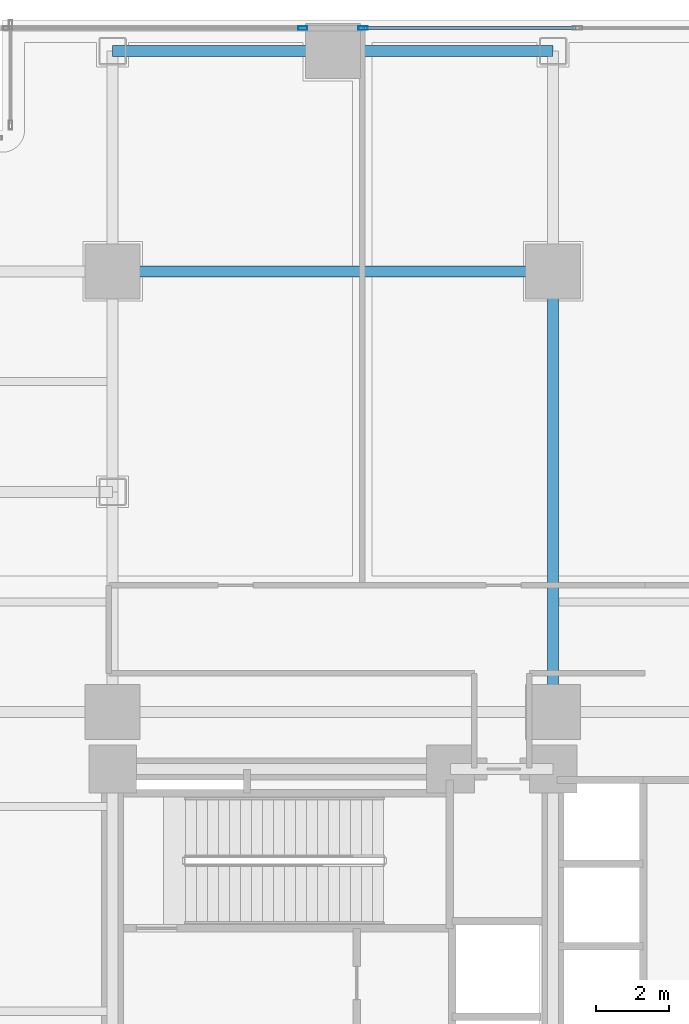
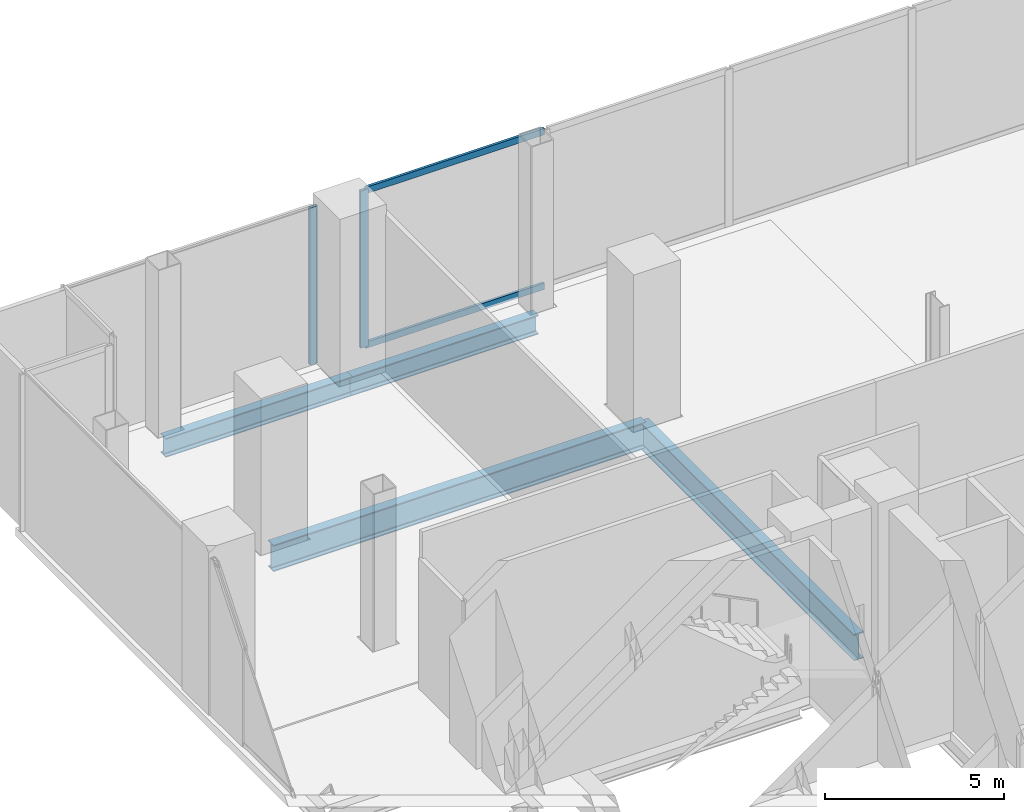
# One storey, part 14 of 27: 4 beams, 4 members, 2 elements without a shape of their own.
"""IFC4 building model written with IfcOpenShell, lengths in metres."""

import ifcopenshell
import ifcopenshell.guid

model = None  # the IFC model being written
_history = None  # IfcOwnerHistory: only IFC2X3 demands one
_inside = {}  # id of a spatial element -> (the spatial element, [elements in it])
_under = {}  # id of a project, library or spatial element -> (it, [spatial elements below it])
_declared = {}  # id of a project -> (the project, [libraries it declares])
_typed = {}  # id of a type object -> (the type object, [elements of that type])
_made_of = {}  # id of a material, layer set ... -> (it, [elements and type objects made of it])


def new_model(schema):
    """Start an empty IFC model of exactly this schema.

    Asked for "IFC4X3", IfcOpenShell would pick the latest addendum, in which some entities
    have other attributes; the version numbers below select the first issue.
    IFC2X3 requires an IfcOwnerHistory on every rooted entity: one is made here for all.
    """
    global model, _history
    if schema == "IFC4X3":
        model = ifcopenshell.file(schema_version=(4, 3, 0, 0))
    else:
        model = ifcopenshell.file(schema=schema)
    _inside.clear()
    _under.clear()
    _declared.clear()
    _typed.clear()
    _made_of.clear()
    _history = None
    if model.schema == "IFC2X3":
        org = make("IfcOrganization", Name="unknown")
        user = make(
            "IfcPersonAndOrganization",
            ThePerson=make("IfcPerson", FamilyName="unknown"),
            TheOrganization=org,
        )
        app = make(
            "IfcApplication",
            ApplicationDeveloper=org,
            Version="unknown",
            ApplicationFullName="unknown",
            ApplicationIdentifier="unknown",
        )
        _history = make(
            "IfcOwnerHistory",
            OwningUser=user,
            OwningApplication=app,
            ChangeAction="ADDED",
            CreationDate=0,
        )
    return model


def make(cls, **values):
    """One entity of the class cls with the attributes given. An attribute that is None is left unset."""
    return model.create_entity(
        cls, **{name: value for name, value in values.items() if value is not None}
    )


def rooted(cls, **values):
    """An entity with a GlobalId (a new one), such as an element, a storey or a relation."""
    return make(cls, GlobalId=ifcopenshell.guid.new(), OwnerHistory=_history, **values)


def si_unit(unit_type, name, prefix=None):
    """IfcSIUnit, for example si_unit("LENGTHUNIT", "METRE", prefix="MILLI")."""
    return make("IfcSIUnit", UnitType=unit_type, Prefix=prefix, Name=name)


def assignment(units):
    """IfcUnitAssignment: the units of a project."""
    return None if units is None else make("IfcUnitAssignment", Units=units)


def point(xyz):
    """IfcCartesianPoint."""
    return None if xyz is None else make("IfcCartesianPoint", Coordinates=xyz)


def direction(xyz):
    """IfcDirection."""
    return None if xyz is None else make("IfcDirection", DirectionRatios=xyz)


def frame(location, z_axis=None, x_axis=None):
    """IfcAxis2Placement3D, a coordinate frame: its origin and axes. An axis left out is left unset."""
    return make(
        "IfcAxis2Placement3D",
        Location=point(location),
        Axis=direction(z_axis),
        RefDirection=direction(x_axis),
    )


def frame_2d(location, x_axis=None):
    """IfcAxis2Placement2D, a coordinate frame in the plane: its origin and x axis."""
    return make(
        "IfcAxis2Placement2D", Location=point(location), RefDirection=direction(x_axis)
    )


def origin():
    """The frame at (0, 0, 0) with its axes left unset."""
    return frame((0.0, 0.0, 0.0))


def origin_2d():
    """The frame at (0, 0) in the plane with its x axis left unset."""
    return frame_2d((0.0, 0.0))


def place(relative_to, where):
    """IfcLocalPlacement: puts the frame where relative to a parent placement (None: the world)."""
    return make(
        "IfcLocalPlacement", PlacementRelTo=relative_to, RelativePlacement=where
    )


def context(
    kind, dimensions, precision=None, world=None, true_north=None, identifier=None
):
    """IfcGeometricRepresentationContext, for example the 3D "Model" context."""
    return make(
        "IfcGeometricRepresentationContext",
        ContextIdentifier=identifier,
        ContextType=kind,
        CoordinateSpaceDimension=dimensions,
        Precision=precision,
        WorldCoordinateSystem=world,
        TrueNorth=true_north,
    )


def subcontext(parent, identifier, kind, view, scale=None):
    """IfcGeometricRepresentationSubContext, for example "Body" below "Model"."""
    return make(
        "IfcGeometricRepresentationSubContext",
        ContextIdentifier=identifier,
        ContextType=kind,
        ParentContext=parent,
        TargetScale=scale,
        TargetView=view,
    )


def project(units=None, contexts=None):
    """IfcProject with its units and contexts."""
    return rooted(
        "IfcProject",
        Name="project",
        RepresentationContexts=contexts,
        UnitsInContext=assignment(units),
    )


def spatial(cls, under=None, at=None, **own):
    """A site, building, storey or space (cls), placed at a placement, below another one or the project."""
    s = rooted(cls, ObjectPlacement=at, **own)
    if under is not None:
        _under.setdefault(under.id(), (under, []))[1].append(s)
    return s


def profile(cls, at=None, kind="AREA", **sizes):
    """A parametric profile (cls). Its sizes go by their IFC names, for example OverallWidth=200.0."""
    return make(cls, ProfileType=kind, Position=at, **sizes)


def hollow_rectangle(**sizes):
    """IfcRectangleHollowProfileDef."""
    return profile("IfcRectangleHollowProfileDef", **sizes)


def i_section(**sizes):
    """IfcIShapeProfileDef."""
    return profile("IfcIShapeProfileDef", **sizes)


def extrude(swept, where, along, depth):
    """IfcExtrudedAreaSolid: the profile swept, set in the frame where, extruded along a direction by depth."""
    return make(
        "IfcExtrudedAreaSolid",
        SweptArea=swept,
        Position=where,
        ExtrudedDirection=direction(along),
        Depth=depth,
    )


def shape(context_of_items, identifier, shape_type, items):
    """IfcShapeRepresentation: the items that make up one representation, for example the "Body"."""
    return make(
        "IfcShapeRepresentation",
        ContextOfItems=context_of_items,
        RepresentationIdentifier=identifier,
        RepresentationType=shape_type,
        Items=items,
    )


def material(Name=None, Category=None):
    """IfcMaterial."""
    return make("IfcMaterial", Name=Name, Category=Category)


def layer(
    of_material, thickness, ventilated=None, Name=None, Category=None, Priority=None
):
    """IfcMaterialLayer: one layer of a wall or slab, of a material (None: an air gap)."""
    return make(
        "IfcMaterialLayer",
        Material=of_material,
        LayerThickness=thickness,
        IsVentilated=ventilated,
        Name=Name,
        Category=Category,
        Priority=Priority,
    )


def layer_set(layers, Name=None):
    """IfcMaterialLayerSet."""
    return make("IfcMaterialLayerSet", MaterialLayers=layers, LayerSetName=Name)


def material_profile(
    of_material, cross_section, Name=None, Category=None, Priority=None
):
    """IfcMaterialProfile: a cross section and its material."""
    return make(
        "IfcMaterialProfile",
        Name=Name,
        Material=of_material,
        Profile=cross_section,
        Priority=Priority,
        Category=Category,
    )


def profile_set(profiles, Name=None, composite=None):
    """IfcMaterialProfileSet."""
    return make(
        "IfcMaterialProfileSet",
        Name=Name,
        MaterialProfiles=profiles,
        CompositeProfile=composite,
    )


def made_of(thing, what):
    """Note that an element or type object is made of a material, layer set ...; save() writes the relation."""
    if what is not None:
        _made_of.setdefault(what.id(), (what, []))[1].append(thing)
    return thing


def type_object(cls, material=None, **own):
    """A type object (cls), such as IfcWallType, which elements share."""
    return made_of(rooted(cls, **own), material)


def element(
    cls,
    number,
    at=None,
    inside=None,
    cuts=None,
    type_object=None,
    material=None,
    context=None,
    identifier="Body",
    shape_type=None,
    held_by="IfcProductDefinitionShape",
    body=None,
    shapes=None,
    **own,
):
    """One element of the class cls, such as IfcWall. Its Tag is "e" and its number.

    at: its placement. inside: the storey or other place that contains it. cuts: it is an
    opening in that element (IfcRelVoidsElement). A single representation is given by context,
    identifier, shape_type and body (its items); several are given by shapes. held_by: the class
    of the entity that holds the representations. save() writes the other relations.
    """
    e = rooted(cls, Tag="e%d" % number, ObjectPlacement=at, **own)
    if body is not None:
        shapes = [shape(context, identifier, shape_type, body)]
    if shapes is not None:
        e.Representation = make(held_by, Representations=shapes)
    if inside is not None:
        _inside.setdefault(inside.id(), (inside, []))[1].append(e)
    if cuts is not None:
        rooted(
            "IfcRelVoidsElement", RelatingBuildingElement=cuts, RelatedOpeningElement=e
        )
    if type_object is not None:
        _typed.setdefault(type_object.id(), (type_object, []))[1].append(e)
    return made_of(e, material)


def aggregate(whole, parts):
    """IfcRelAggregates: a whole, such as a stair, and the parts it consists of."""
    return rooted("IfcRelAggregates", RelatingObject=whole, RelatedObjects=parts)


def save(model, path):
    """Write the relations noted so far, then the file.

    IfcRelAggregates (storeys below a building ...), IfcRelContainedInSpatialStructure (elements
    in a storey), IfcRelDefinesByType, IfcRelAssociatesMaterial and IfcRelDeclares: one each for
    every whole, place, type object, material and project.
    """
    for whole, parts in _under.values():
        aggregate(whole, parts)
    for where, things in _inside.values():
        rooted(
            "IfcRelContainedInSpatialStructure",
            RelatedElements=things,
            RelatingStructure=where,
        )
    for kind, things in _typed.values():
        rooted("IfcRelDefinesByType", RelatedObjects=things, RelatingType=kind)
    for what, things in _made_of.values():
        rooted("IfcRelAssociatesMaterial", RelatedObjects=things, RelatingMaterial=what)
    for by, libraries in _declared.values():
        rooted("IfcRelDeclares", RelatingContext=by, RelatedDefinitions=libraries)
    model.write(path)


model = new_model("IFC4")

# Units and contexts
model_context = context("Model", 3, precision=1e-05, world=origin(), true_north=direction((0.0, 1.0)))
body_context = subcontext(model_context, "Body", "Model", "MODEL_VIEW")
ifc_project = project(units=[si_unit("LENGTHUNIT", "METRE"), si_unit("AREAUNIT", "SQUARE_METRE"), si_unit("VOLUMEUNIT", "CUBIC_METRE"), si_unit("PLANEANGLEUNIT", "RADIAN"), si_unit("MASSUNIT", "GRAM", prefix="KILO"), si_unit("THERMODYNAMICTEMPERATUREUNIT", "KELVIN"), si_unit("POWERUNIT", "WATT")], contexts=[model_context])

# Site, building, storey
site_placement = place(None, origin())
site = spatial("IfcSite", under=ifc_project, at=site_placement, CompositionType="ELEMENT")
building_placement = place(site_placement, origin())
building = spatial("IfcBuilding", under=site, at=building_placement, Name="Svarakhadi Broadcast Tower", CompositionType="ELEMENT")
storey_placement = place(building_placement, frame((0.0, 0.0, 21.89990234375)))
storey = spatial("IfcBuildingStorey", under=building, at=storey_placement, Name="L04", CompositionType="ELEMENT", Elevation=21.89990234375)

# Curtain wall, member
ifc_material_1 = material(Name="Anodised Bronze Aluminium AA 6063-T6", Category="aluminium")
ifc_layer = layer(ifc_material_1, 0.25)
ifc_layer_set = layer_set([ifc_layer], Name="Anodised Bronze Aluminium AA 6063-T6")
curtain_wall_type = type_object("IfcCurtainWallType", Name="CW_Sys_01", PredefinedType="NOTDEFINED", material=ifc_layer_set)
curtain_wall_1_placement = place(storey_placement, origin())
curtain_wall_1 = element("IfcCurtainWall", 1, at=curtain_wall_1_placement, inside=storey, type_object=curtain_wall_type, Name="L04 Unitised Facade Curtain Wall 05 Bay 1", PredefinedType="NOTDEFINED")
ifc_material_profile_1 = material_profile(ifc_material_1, hollow_rectangle(XDim=0.094970703125, YDim=0.25, WallThickness=0.006103515625, at=origin_2d()), Name="ALU MULLION 250x95x6")
ifc_profile_set_1 = profile_set([ifc_material_profile_1], Name="Anodised Bronze Aluminium AA 6063-T6")
member_type_1 = type_object("IfcMemberType", Name="CW_Sys_01_Mul", PredefinedType="MULLION", material=ifc_profile_set_1)
member_1_placement = place(storey_placement, frame((11.1826171875, 47.780029296875, 0.0), z_axis=(0.0, 0.0, 1.0), x_axis=(0.0, 1.0, 0.0)))
member_1 = element("IfcMember", 2, at=member_1_placement, type_object=member_type_1, Name="CW-01 mullion 2", PredefinedType="MULLION", context=body_context, shape_type="SweptSolid", body=[
    extrude(hollow_rectangle(XDim=0.094970703125, YDim=0.25, WallThickness=0.006103515625, at=origin_2d()), origin(), (0.0, 0.0, 1.0), 5.35009765625),
])
aggregate(curtain_wall_1, [member_1])

# Curtain wall, members
curtain_wall_2_placement = place(storey_placement, origin())
curtain_wall_2 = element("IfcCurtainWall", 3, at=curtain_wall_2_placement, inside=storey, type_object=curtain_wall_type, Name="L04 Unitised Facade Curtain Wall 05 Bay 2", PredefinedType="NOTDEFINED")
member_2_placement = place(storey_placement, frame((12.8173828125, 47.780029296875, 0.0), z_axis=(0.0, 0.0, 1.0), x_axis=(0.0, 1.0, 0.0)))
member_2 = element("IfcMember", 4, at=member_2_placement, type_object=member_type_1, Name="CW-01 mullion 1", PredefinedType="MULLION", context=body_context, shape_type="SweptSolid", body=[
    extrude(hollow_rectangle(XDim=0.094970703125, YDim=0.25, WallThickness=0.006103515625, at=origin_2d()), origin(), (0.0, 0.0, 1.0), 5.35009765625),
])
ifc_material_profile_2 = material_profile(ifc_material_1, hollow_rectangle(XDim=0.0849609375, YDim=0.219970703125, WallThickness=0.0048828125, at=origin_2d()), Name="ALU TRANSOM 220x85x5")
ifc_profile_set_2 = profile_set([ifc_material_profile_2], Name="Anodised Bronze Aluminium AA 6063-T6")
member_type_2 = type_object("IfcMemberType", Name="CW_Sys_01_Trn", PredefinedType="USERDEFINED", material=ifc_profile_set_2)
member_3_placement = place(storey_placement, frame((12.864990234375, 47.780029296875, 0.04248046875), z_axis=(1.0, 0.0, 0.0), x_axis=(0.0, 1.0, 0.0)))
member_3 = element("IfcMember", 5, at=member_3_placement, type_object=member_type_2, Name="CW-01 transom 1.1", ObjectType="TRANSOM", PredefinedType="USERDEFINED", context=body_context, shape_type="SweptSolid", body=[
    extrude(hollow_rectangle(XDim=0.0849609375, YDim=0.219970703125, WallThickness=0.0048828125, at=origin_2d()), origin(), (0.0, 0.0, 1.0), 5.75),
])
member_4_placement = place(storey_placement, frame((12.864990234375, 47.780029296875, 5.3076171875), z_axis=(1.0, 0.0, 0.0), x_axis=(0.0, 1.0, 0.0)))
member_4 = element("IfcMember", 6, at=member_4_placement, type_object=member_type_2, Name="CW-01 transom 1.2", ObjectType="TRANSOM", PredefinedType="USERDEFINED", context=body_context, shape_type="SweptSolid", body=[
    extrude(hollow_rectangle(XDim=0.0849609375, YDim=0.219970703125, WallThickness=0.0048828125, at=origin_2d()), origin(), (0.0, 0.0, 1.0), 5.75),
])
aggregate(curtain_wall_2, [member_2, member_3, member_4])

# Beams
ifc_material_2 = material(Name="Steel S355J2 (IS 2062 E350C)", Category="steel")
ifc_material_profile_3 = material_profile(ifc_material_2, i_section(OverallWidth=0.300048828125, OverallDepth=0.64990234375, WebThickness=0.01611328125, FlangeThickness=0.031005859375, FilletRadius=0.027099609375, at=origin_2d()), Name="WPB 650x300x225")
ifc_profile_set_3 = profile_set([ifc_material_profile_3], Name="Steel S355J2 (IS 2062 E350C)")
beam_type_1 = type_object("IfcBeamType", Name="Girder_WPB650", PredefinedType="USERDEFINED", material=ifc_profile_set_3)
for number, where, z_axis, x_axis, name in (
    (7, (6.0, 47.14990234375, -0.599853515625), (1.0, 0.0, 0.0), (0.0, 1.0, 0.0), "L04 Primary E-W Girder G042"),
    (8, (12.0, 47.14990234375, -0.599853515625), (1.0, 0.0, 0.0), (0.0, 1.0, 0.0), "L04 Primary E-W Girder G043"),
):
    element("IfcBeam", number, at=place(storey_placement, frame(where, z_axis=z_axis, x_axis=x_axis)), inside=storey, type_object=beam_type_1, Name=name, ObjectType="GIRDER", PredefinedType="USERDEFINED", context=body_context, shape_type="SweptSolid", body=[
        extrude(i_section(OverallWidth=0.300048828125, OverallDepth=0.64990234375, WebThickness=0.01611328125, FlangeThickness=0.031005859375, FilletRadius=0.027099609375, at=origin_2d()), origin(), (0.0, 0.0, 1.0), 6.0),
    ])
ifc_material_3 = material(Name="Steel S460ML (IS 2062 E450BR)", Category="steel")
ifc_material_profile_4 = material_profile(ifc_material_3, i_section(OverallWidth=0.300048828125, OverallDepth=0.89990234375, WebThickness=0.0185546875, FlangeThickness=0.034912109375, FilletRadius=0.030029296875, at=origin_2d()), Name="WPB 900x300x291")
ifc_profile_set_4 = profile_set([ifc_material_profile_4], Name="Steel S460ML (IS 2062 E450BR)")
beam_type_2 = type_object("IfcBeamType", Name="Girder_WPB900", PredefinedType="USERDEFINED", material=ifc_profile_set_4)
for number, where, z_axis, x_axis, name in (
    (9, (6.0, 41.14990234375, -0.724853515625), (1.0, 0.0, 0.0), (0.0, 1.0, 0.0), "L04 Primary E-W Girder G041"),
    (10, (18.0, 29.14990234375, -0.724853515625), (0.0, 1.0, 0.0), (-1.0, 0.0, 0.0), "L04 Primary N-S Girder G062"),
):
    element("IfcBeam", number, at=place(storey_placement, frame(where, z_axis=z_axis, x_axis=x_axis)), inside=storey, type_object=beam_type_2, Name=name, ObjectType="GIRDER", PredefinedType="USERDEFINED", context=body_context, shape_type="SweptSolid", body=[
        extrude(i_section(OverallWidth=0.300048828125, OverallDepth=0.89990234375, WebThickness=0.0185546875, FlangeThickness=0.034912109375, FilletRadius=0.030029296875, at=origin_2d()), origin(), (0.0, 0.0, 1.0), 12.0),
    ])

save(model, "model.ifc")
